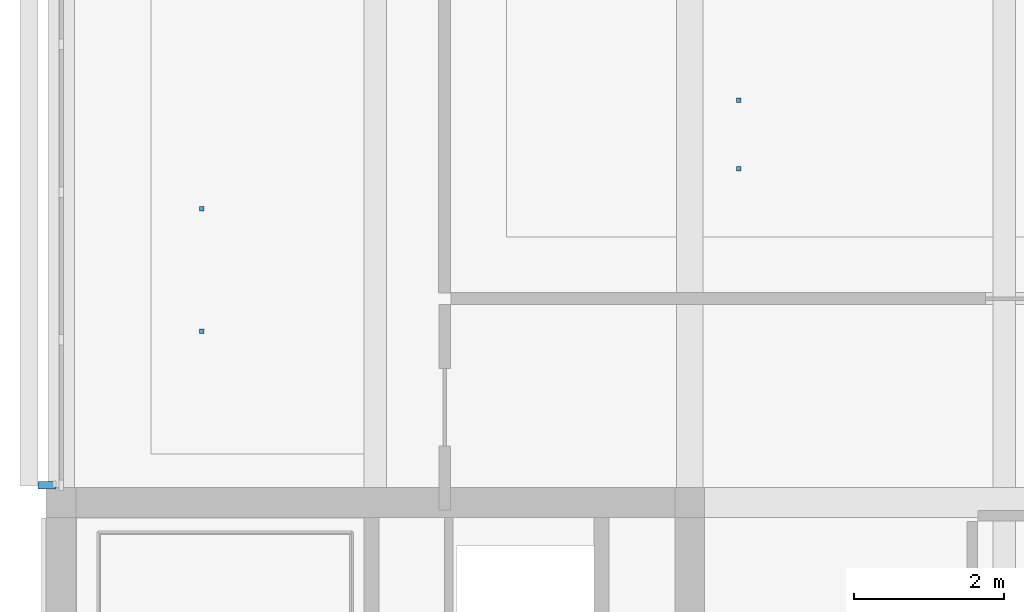
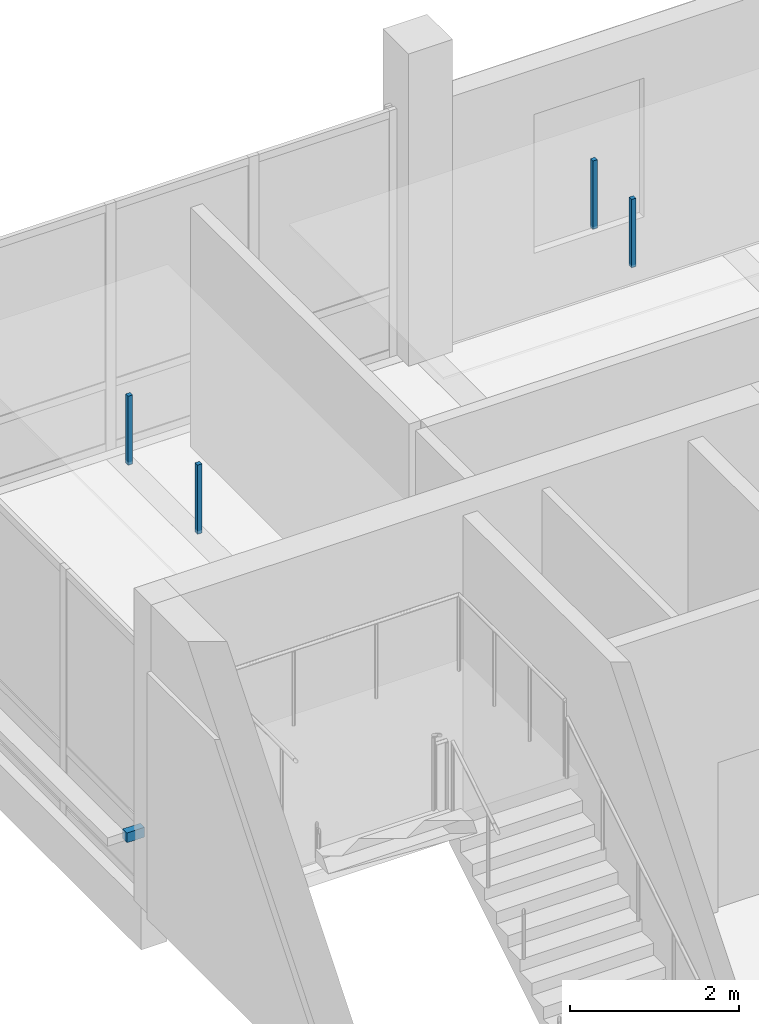
# One storey, part 16 of 30: 5 discrete accessories.
"""IFC4 building model written with IfcOpenShell, lengths in metres."""

from ifc_helpers import new_model, si_unit, direction, frame, origin, origin_2d, place, context, subcontext, project, spatial, rectangle, extrude, material, type_object, element, save


model = new_model("IFC4")

# Units and contexts
model_context = context("Model", 3, precision=1e-05, world=origin(), true_north=direction((0.0, 1.0)))
body_context = subcontext(model_context, "Body", "Model", "MODEL_VIEW")
ifc_project = project(units=[si_unit("LENGTHUNIT", "METRE"), si_unit("AREAUNIT", "SQUARE_METRE"), si_unit("VOLUMEUNIT", "CUBIC_METRE"), si_unit("PLANEANGLEUNIT", "RADIAN"), si_unit("MASSUNIT", "GRAM", prefix="KILO")], contexts=[model_context])

# Site, building, storey
site_placement = place(None, origin())
site = spatial("IfcSite", under=ifc_project, at=site_placement, CompositionType="ELEMENT")
building_placement = place(site_placement, origin())
building = spatial("IfcBuilding", under=site, at=building_placement, Name="Telukmera Botanical Conservatory", CompositionType="ELEMENT")
storey_placement = place(building_placement, frame((0.0, 0.0, 60.0)))
storey = spatial("IfcBuildingStorey", under=building, at=storey_placement, Name="L13", CompositionType="ELEMENT", Elevation=60.0)

# Discrete accessories
ifc_material = material(Name="Steel S355", Category="steel")
discrete_accessory_type_1 = type_object("IfcDiscreteAccessoryType", Name="ACC-CEIL-HGR", PredefinedType="BRACKET", material=ifc_material)
for number, where, z_axis, x_axis, name in (
    (1, (60.681884765625, 36.6875, 3.31005859375), (0.0, 0.0, 1.0), (1.0, 0.0, 0.0), "L13 Suspended Ceiling Hanger Rod 028-1"),
    (2, (60.681884765625, 38.324951171875, 3.31005859375), (0.0, 0.0, 1.0), (1.0, 0.0, 0.0), "L13 Suspended Ceiling Hanger Rod 028-2"),
):
    element("IfcDiscreteAccessory", number, at=place(storey_placement, frame(where, z_axis=z_axis, x_axis=x_axis)), inside=storey, type_object=discrete_accessory_type_1, Name=name, PredefinedType="BRACKET", context=body_context, shape_type="SweptSolid", body=[
        extrude(rectangle(XDim=0.06005859375, YDim=0.06005859375, at=origin_2d()), origin(), (0.0, 0.0, 1.0), 0.9951171875),
    ])
for number, where, z_axis, x_axis, name in (
    (3, (67.85205078125, 38.862548828125, 3.31982421875), (0.0, 0.0, 1.0), (1.0, 0.0, 0.0), "L13 Suspended Ceiling Hanger Rod 029-1"),
    (4, (67.85205078125, 39.77490234375, 3.31982421875), (0.0, 0.0, 1.0), (1.0, 0.0, 0.0), "L13 Suspended Ceiling Hanger Rod 029-2"),
):
    element("IfcDiscreteAccessory", number, at=place(storey_placement, frame(where, z_axis=z_axis, x_axis=x_axis)), inside=storey, type_object=discrete_accessory_type_1, Name=name, PredefinedType="BRACKET", context=body_context, shape_type="SweptSolid", body=[
        extrude(rectangle(XDim=0.06005859375, YDim=0.06005859375, at=origin_2d()), origin(), (0.0, 0.0, 1.0), 0.985107421875),
    ])
discrete_accessory_type_2 = type_object("IfcDiscreteAccessoryType", Name="Structural Steel Facade Outrigger Fin Bracket", PredefinedType="BRACKET", material=ifc_material)
discrete_accessory_placement = place(storey_placement, frame((58.610107421875, 34.632080078125, 0.8798828125), z_axis=(0.0, 0.0, 1.0), x_axis=(0.0, 1.0, 0.0)))
element("IfcDiscreteAccessory", 5, at=discrete_accessory_placement, inside=storey, type_object=discrete_accessory_type_2, Name="Facade Outrigger Bracket V4:L13:W4 A", PredefinedType="BRACKET", context=body_context, shape_type="SweptSolid", body=[
    extrude(rectangle(XDim=0.10009765625, YDim=0.239990234375, at=origin_2d()), origin(), (0.0, 0.0, 1.0), 0.139892578125),
])

save(model, "model.ifc")
